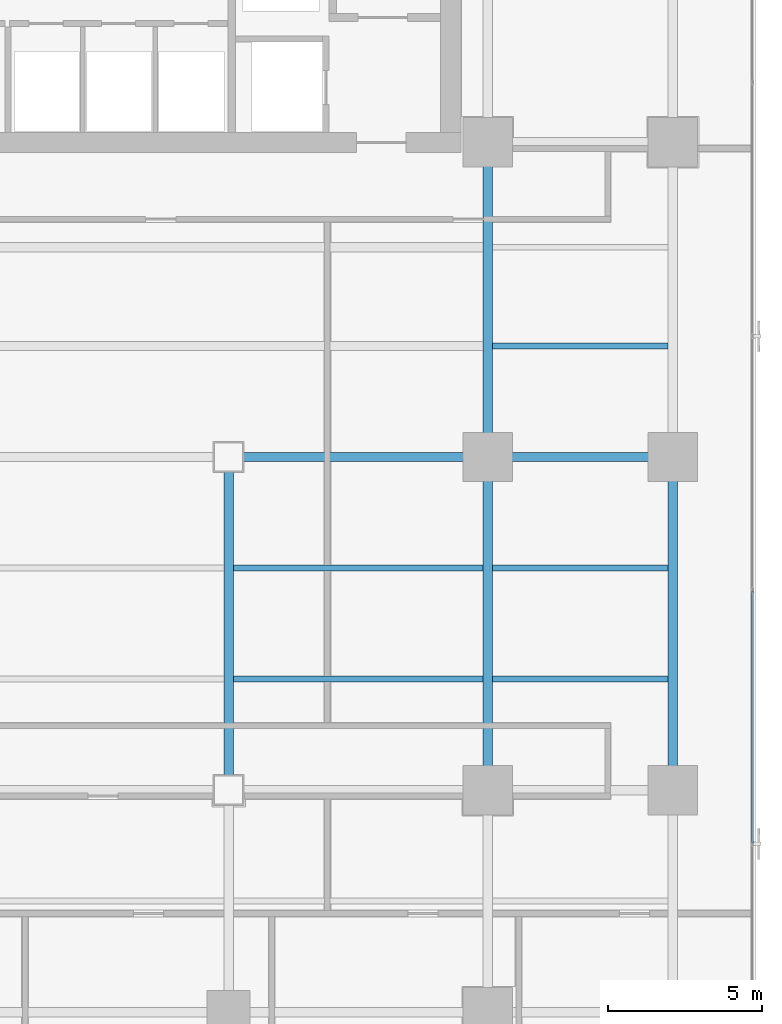
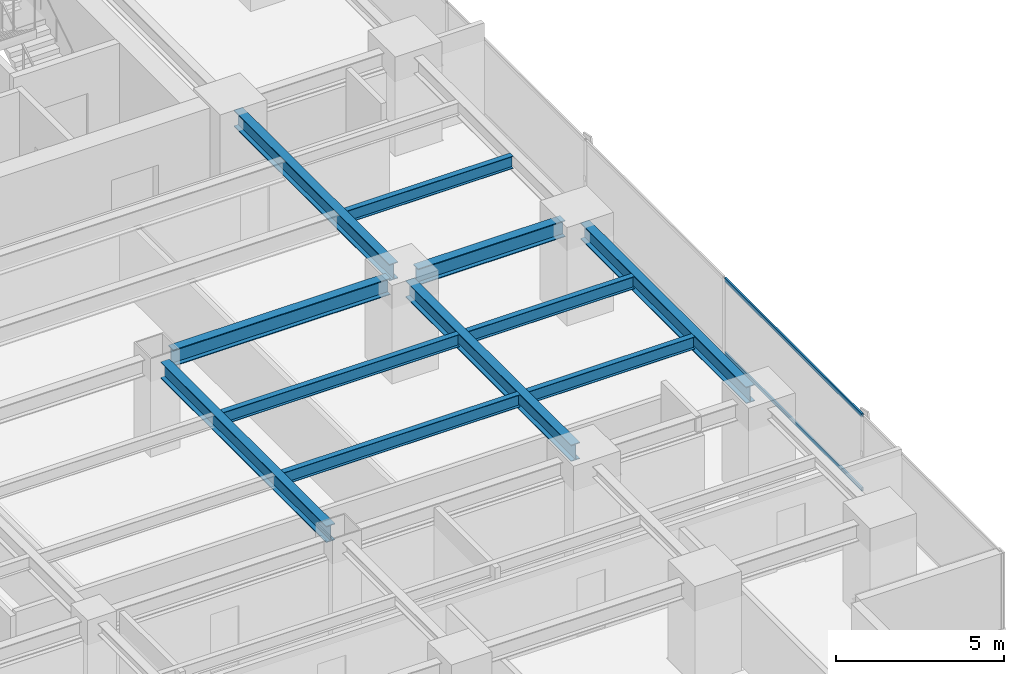
# One storey, part 15 of 36: 11 beams, 2 members, 1 element without a shape of its own.
"""IFC4 building model written with IfcOpenShell, lengths in metres."""

from ifc_helpers import new_model, si_unit, direction, frame, origin, origin_2d, place, context, subcontext, project, spatial, hollow_rectangle, i_section, extrude, source, transform, mapped, material, layer, layer_set, material_profile, profile_set, type_object, element, aggregate, save


model = new_model("IFC4")

# Units and contexts
model_context = context("Model", 3, precision=1e-05, world=origin(), true_north=direction((0.0, 1.0)))
body_context = subcontext(model_context, "Body", "Model", "MODEL_VIEW")
ifc_project = project(units=[si_unit("LENGTHUNIT", "METRE"), si_unit("AREAUNIT", "SQUARE_METRE"), si_unit("VOLUMEUNIT", "CUBIC_METRE"), si_unit("PLANEANGLEUNIT", "RADIAN"), si_unit("MASSUNIT", "GRAM", prefix="KILO")], contexts=[model_context])

# Site, building, storey
site_placement = place(None, origin())
site = spatial("IfcSite", under=ifc_project, at=site_placement, CompositionType="ELEMENT")
building_placement = place(site_placement, origin())
building = spatial("IfcBuilding", under=site, at=building_placement, Name="Sumidabori Civic Tower", CompositionType="ELEMENT")
storey_placement = place(building_placement, frame((0.0, 0.0, 113.60009765625)))
storey = spatial("IfcBuildingStorey", under=building, at=storey_placement, Name="L29", CompositionType="ELEMENT", Elevation=113.60009765625)

# Beams
ifc_material_1 = material(Name="Steel SN490", Category="steel")
ifc_material_profile_1 = material_profile(ifc_material_1, i_section(OverallWidth=0.300048828125, OverallDepth=0.60009765625, WebThickness=0.015380859375, FlangeThickness=0.030029296875, at=origin_2d()), Name="HE 600 B")
ifc_profile_set_1 = profile_set([ifc_material_profile_1], Name="Steel SN490")
beam_type_1 = type_object("IfcBeamType", Name="BM-GIRD-600", PredefinedType="BEAM", material=ifc_profile_set_1)
shared_shape_1 = source(origin(), body_context, "Body", "SweptSolid", [
    extrude(i_section(OverallWidth=0.300048828125, OverallDepth=0.60009765625, WebThickness=0.015380859375, FlangeThickness=0.030029296875, at=origin_2d()), origin(), (0.0, 0.0, 1.0), 5.0400390625),
])
beam_1_placement = place(storey_placement, frame((17.280029296875, 0.0, 3.059814453125), z_axis=(1.0, 0.0, 0.0), x_axis=(0.0, 1.0, 0.0)))
element("IfcBeam", 1, at=beam_1_placement, inside=storey, type_object=beam_type_1, Name="Primary Girder L29 GX-18", PredefinedType="BEAM", context=body_context, shape_type="MappedRepresentation", body=[
    mapped(shared_shape_1, transform((0.0, 0.0, 0.0), x_axis=(1.0, 0.0, 0.0), y_axis=(0.0, 1.0, 0.0), z_axis=(0.0, 0.0, 1.0), scale=1.0)),
])
shared_shape_2 = source(origin(), body_context, "Body", "SweptSolid", [
    extrude(i_section(OverallWidth=0.300048828125, OverallDepth=0.60009765625, WebThickness=0.015380859375, FlangeThickness=0.030029296875, at=origin_2d()), origin(), (0.0, 0.0, 1.0), 7.440185546875),
])
beam_2_placement = place(storey_placement, frame((8.8798828125, 0.0, 3.059814453125), z_axis=(1.0, 0.0, 0.0), x_axis=(0.0, 1.0, 0.0)))
element("IfcBeam", 2, at=beam_2_placement, inside=storey, type_object=beam_type_1, Name="Primary Girder L29 GX-17", PredefinedType="BEAM", context=body_context, shape_type="MappedRepresentation", body=[
    mapped(shared_shape_2, transform((0.0, 0.0, 0.0), x_axis=(1.0, 0.0, 0.0), y_axis=(0.0, 1.0, 0.0), z_axis=(0.0, 0.0, 1.0), scale=1.0)),
])
shared_shape_3 = source(origin(), body_context, "Body", "SweptSolid", [
    extrude(i_section(OverallWidth=0.300048828125, OverallDepth=0.60009765625, WebThickness=0.015380859375, FlangeThickness=0.030029296875, at=origin_2d()), origin(), (0.0, 0.0, 1.0), 9.840087890625),
])
for number, where, z_axis, x_axis, name in (
    (3, (8.39990234375, -10.320068359375, 3.059814453125), (0.0, 1.0, 0.0), (-1.0, 0.0, 0.0), "Primary Girder L29 GY-34"),
    (4, (16.800048828125, -10.320068359375, 3.059814453125), (0.0, 1.0, 0.0), (-1.0, 0.0, 0.0), "Primary Girder L29 GY-36"),
    (5, (22.800048828125, -10.320068359375, 3.059814453125), (0.0, 1.0, 0.0), (-1.0, 0.0, 0.0), "Primary Girder L29 GY-40"),
):
    element("IfcBeam", number, at=place(storey_placement, frame(where, z_axis=z_axis, x_axis=x_axis)), inside=storey, type_object=beam_type_1, Name=name, PredefinedType="BEAM", context=body_context, shape_type="MappedRepresentation", body=[
        mapped(shared_shape_3, transform((0.0, 0.0, 0.0), x_axis=(1.0, 0.0, 0.0), y_axis=(0.0, 1.0, 0.0), z_axis=(0.0, 0.0, 1.0), scale=1.0)),
    ])
shared_shape_4 = source(origin(), body_context, "Body", "SweptSolid", [
    extrude(i_section(OverallWidth=0.300048828125, OverallDepth=0.60009765625, WebThickness=0.015380859375, FlangeThickness=0.030029296875, at=origin_2d()), origin(), (0.0, 0.0, 1.0), 9.239990234375),
])
beam_3_placement = place(storey_placement, frame((16.800048828125, 0.47998046875, 3.059814453125), z_axis=(0.0, 1.0, 0.0), x_axis=(-1.0, 0.0, 0.0)))
element("IfcBeam", 6, at=beam_3_placement, inside=storey, type_object=beam_type_1, Name="Primary Girder L29 GY-37", PredefinedType="BEAM", context=body_context, shape_type="MappedRepresentation", body=[
    mapped(shared_shape_4, transform((0.0, 0.0, 0.0), x_axis=(1.0, 0.0, 0.0), y_axis=(0.0, 1.0, 0.0), z_axis=(0.0, 0.0, 1.0), scale=1.0)),
])
ifc_material_profile_2 = material_profile(ifc_material_1, i_section(OverallWidth=0.18994140625, OverallDepth=0.449951171875, WebThickness=0.009521484375, FlangeThickness=0.0146484375, at=origin_2d()), Name="IPE 450")
ifc_profile_set_2 = profile_set([ifc_material_profile_2], Name="Steel SN490")
beam_type_2 = type_object("IfcBeamType", Name="BM-JST-450", PredefinedType="JOIST", material=ifc_profile_set_2)
shared_shape_5 = source(origin(), body_context, "Body", "SweptSolid", [
    extrude(i_section(OverallWidth=0.18994140625, OverallDepth=0.449951171875, WebThickness=0.009521484375, FlangeThickness=0.0146484375, at=origin_2d()), origin(), (0.0, 0.0, 1.0), 5.699951171875),
])
for number, where, z_axis, x_axis, name in (
    (7, (16.949951171875, -7.199951171875, 3.135009765625), (1.0, 0.0, 0.0), (0.0, 1.0, 0.0), "Outer Bay Floor Joist L29 JSTO-44"),
    (8, (16.949951171875, -3.60009765625, 3.135009765625), (1.0, 0.0, 0.0), (0.0, 1.0, 0.0), "Outer Bay Floor Joist L29 JSTO-46"),
    (9, (16.949951171875, 3.60009765625, 3.135009765625), (1.0, 0.0, 0.0), (0.0, 1.0, 0.0), "Outer Bay Floor Joist L29 JSTO-48"),
):
    element("IfcBeam", number, at=place(storey_placement, frame(where, z_axis=z_axis, x_axis=x_axis)), inside=storey, type_object=beam_type_2, Name=name, PredefinedType="JOIST", context=body_context, shape_type="MappedRepresentation", body=[
        mapped(shared_shape_5, transform((0.0, 0.0, 0.0), x_axis=(1.0, 0.0, 0.0), y_axis=(0.0, 1.0, 0.0), z_axis=(0.0, 0.0, 1.0), scale=1.0)),
    ])
shared_shape_6 = source(origin(), body_context, "Body", "SweptSolid", [
    extrude(i_section(OverallWidth=0.18994140625, OverallDepth=0.449951171875, WebThickness=0.009521484375, FlangeThickness=0.0146484375, at=origin_2d()), origin(), (0.0, 0.0, 1.0), 8.099853515625),
])
for number, where, z_axis, x_axis, name in (
    (10, (8.550048828125, -7.199951171875, 3.135009765625), (1.0, 0.0, 0.0), (0.0, 1.0, 0.0), "South Bay Floor Joist L29 JSTS-62"),
    (11, (8.550048828125, -3.60009765625, 3.135009765625), (1.0, 0.0, 0.0), (0.0, 1.0, 0.0), "South Bay Floor Joist L29 JSTS-66"),
):
    element("IfcBeam", number, at=place(storey_placement, frame(where, z_axis=z_axis, x_axis=x_axis)), inside=storey, type_object=beam_type_2, Name=name, PredefinedType="JOIST", context=body_context, shape_type="MappedRepresentation", body=[
        mapped(shared_shape_6, transform((0.0, 0.0, 0.0), x_axis=(1.0, 0.0, 0.0), y_axis=(0.0, 1.0, 0.0), z_axis=(0.0, 0.0, 1.0), scale=1.0)),
    ])

# Curtain wall, members
ifc_material_2 = material(Name="Anodised Bronze Aluminium AW-6063-T6", Category="aluminium")
ifc_layer = layer(ifc_material_2, 0.179931640625, Name="Anodised Bronze Aluminium AW-6063-T6")
ifc_layer_set = layer_set([ifc_layer], Name="Anodised Bronze Aluminium AW-6063-T6")
curtain_wall_type = type_object("IfcCurtainWallType", Name="CW-SYS-3", PredefinedType="NOTDEFINED", material=ifc_layer_set)
curtain_wall_placement = place(storey_placement, origin())
curtain_wall = element("IfcCurtainWall", 12, at=curtain_wall_placement, inside=storey, type_object=curtain_wall_type, Name="Curtain Wall CW:L29:R04", PredefinedType="NOTDEFINED")
ifc_material_profile_3 = material_profile(ifc_material_2, hollow_rectangle(XDim=0.06005859375, YDim=0.1298828125, WallThickness=0.0048828125, at=origin_2d()), Name="ALU TRANSOM 130x60")
ifc_profile_set_3 = profile_set([ifc_material_profile_3], Name="Anodised Bronze Aluminium AW-6063-T6")
member_type = type_object("IfcMemberType", Name="CW-TRN-130", PredefinedType="USERDEFINED", material=ifc_profile_set_3)
shared_shape_7 = source(origin(), body_context, "Body", "SweptSolid", [
    extrude(hollow_rectangle(XDim=0.06005859375, YDim=0.1298828125, WallThickness=0.0048828125, at=origin_2d()), origin(), (0.0, 0.0, 1.0), 8.1630859375),
])
member_1_placement = place(storey_placement, frame((25.3798828125, -12.509521484375, 0.02978515625), z_axis=(0.0, 1.0, 0.0), x_axis=(-1.0, 0.0, 0.0)))
member_1 = element("IfcMember", 13, at=member_1_placement, type_object=member_type, Name="CW-3 transom 2.1", ObjectType="TRANSOM", PredefinedType="USERDEFINED", context=body_context, shape_type="MappedRepresentation", body=[
    mapped(shared_shape_7, transform((0.0, 0.0, 0.0), x_axis=(1.0, 0.0, 0.0), y_axis=(0.0, 1.0, 0.0), z_axis=(0.0, 0.0, 1.0), scale=1.0)),
])
member_2_placement = place(storey_placement, frame((25.3798828125, -12.509521484375, 2.7099609375), z_axis=(0.0, 1.0, 0.0), x_axis=(-1.0, 0.0, 0.0)))
member_2 = element("IfcMember", 14, at=member_2_placement, type_object=member_type, Name="CW-3 transom 2.2", ObjectType="TRANSOM", PredefinedType="USERDEFINED", context=body_context, shape_type="MappedRepresentation", body=[
    mapped(shared_shape_7, transform((0.0, 0.0, 0.0), x_axis=(1.0, 0.0, 0.0), y_axis=(0.0, 1.0, 0.0), z_axis=(0.0, 0.0, 1.0), scale=1.0)),
])
aggregate(curtain_wall, [member_1, member_2])

save(model, "model.ifc")
